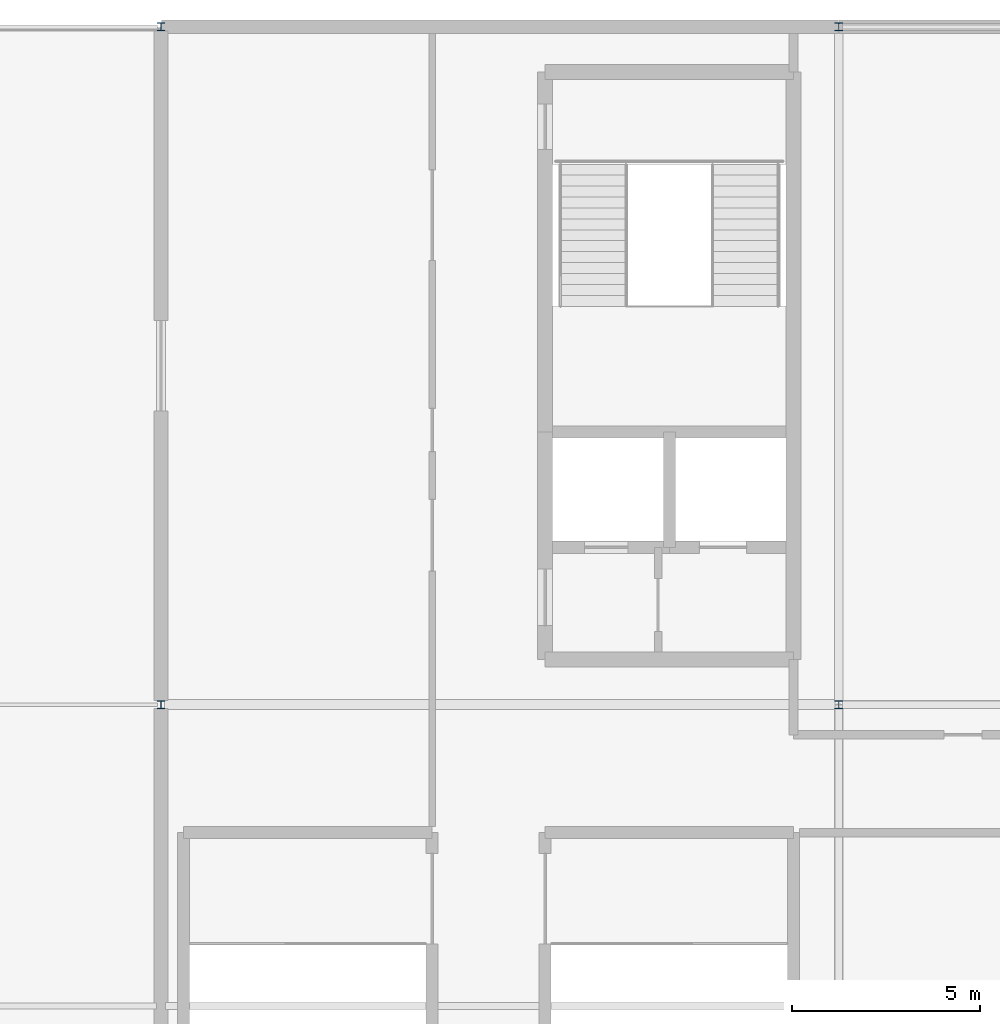
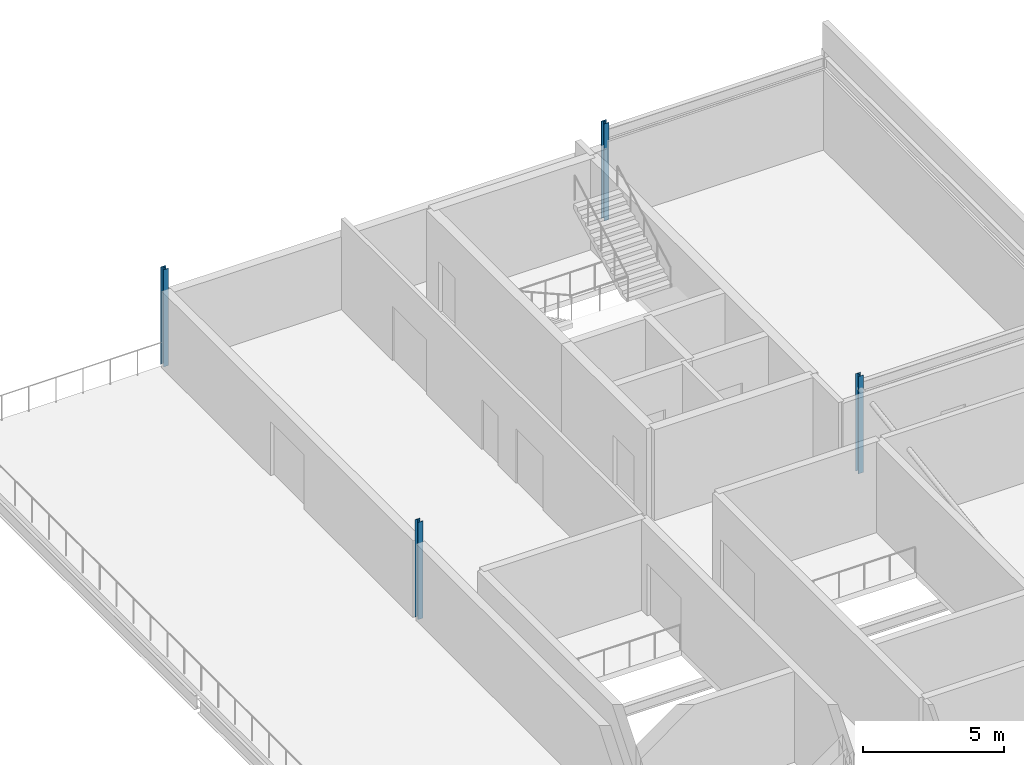
# One storey, part 10 of 23: 4 columns.
"""IFC4 building model written with IfcOpenShell, lengths in metres."""

import ifcopenshell
import ifcopenshell.guid

model = None  # the IFC model being written
_history = None  # IfcOwnerHistory: only IFC2X3 demands one
_inside = {}  # id of a spatial element -> (the spatial element, [elements in it])
_under = {}  # id of a project, library or spatial element -> (it, [spatial elements below it])
_declared = {}  # id of a project -> (the project, [libraries it declares])
_typed = {}  # id of a type object -> (the type object, [elements of that type])
_made_of = {}  # id of a material, layer set ... -> (it, [elements and type objects made of it])


def new_model(schema):
    """Start an empty IFC model of exactly this schema.

    Asked for "IFC4X3", IfcOpenShell would pick the latest addendum, in which some entities
    have other attributes; the version numbers below select the first issue.
    IFC2X3 requires an IfcOwnerHistory on every rooted entity: one is made here for all.
    """
    global model, _history
    if schema == "IFC4X3":
        model = ifcopenshell.file(schema_version=(4, 3, 0, 0))
    else:
        model = ifcopenshell.file(schema=schema)
    _inside.clear()
    _under.clear()
    _declared.clear()
    _typed.clear()
    _made_of.clear()
    _history = None
    if model.schema == "IFC2X3":
        org = make("IfcOrganization", Name="unknown")
        user = make(
            "IfcPersonAndOrganization",
            ThePerson=make("IfcPerson", FamilyName="unknown"),
            TheOrganization=org,
        )
        app = make(
            "IfcApplication",
            ApplicationDeveloper=org,
            Version="unknown",
            ApplicationFullName="unknown",
            ApplicationIdentifier="unknown",
        )
        _history = make(
            "IfcOwnerHistory",
            OwningUser=user,
            OwningApplication=app,
            ChangeAction="ADDED",
            CreationDate=0,
        )
    return model


def make(cls, **values):
    """One entity of the class cls with the attributes given. An attribute that is None is left unset."""
    return model.create_entity(
        cls, **{name: value for name, value in values.items() if value is not None}
    )


def rooted(cls, **values):
    """An entity with a GlobalId (a new one), such as an element, a storey or a relation."""
    return make(cls, GlobalId=ifcopenshell.guid.new(), OwnerHistory=_history, **values)


def si_unit(unit_type, name, prefix=None):
    """IfcSIUnit, for example si_unit("LENGTHUNIT", "METRE", prefix="MILLI")."""
    return make("IfcSIUnit", UnitType=unit_type, Prefix=prefix, Name=name)


def assignment(units):
    """IfcUnitAssignment: the units of a project."""
    return None if units is None else make("IfcUnitAssignment", Units=units)


def point(xyz):
    """IfcCartesianPoint."""
    return None if xyz is None else make("IfcCartesianPoint", Coordinates=xyz)


def direction(xyz):
    """IfcDirection."""
    return None if xyz is None else make("IfcDirection", DirectionRatios=xyz)


def frame(location, z_axis=None, x_axis=None):
    """IfcAxis2Placement3D, a coordinate frame: its origin and axes. An axis left out is left unset."""
    return make(
        "IfcAxis2Placement3D",
        Location=point(location),
        Axis=direction(z_axis),
        RefDirection=direction(x_axis),
    )


def frame_2d(location, x_axis=None):
    """IfcAxis2Placement2D, a coordinate frame in the plane: its origin and x axis."""
    return make(
        "IfcAxis2Placement2D", Location=point(location), RefDirection=direction(x_axis)
    )


def origin():
    """The frame at (0, 0, 0) with its axes left unset."""
    return frame((0.0, 0.0, 0.0))


def origin_2d():
    """The frame at (0, 0) in the plane with its x axis left unset."""
    return frame_2d((0.0, 0.0))


def place(relative_to, where):
    """IfcLocalPlacement: puts the frame where relative to a parent placement (None: the world)."""
    return make(
        "IfcLocalPlacement", PlacementRelTo=relative_to, RelativePlacement=where
    )


def context(
    kind, dimensions, precision=None, world=None, true_north=None, identifier=None
):
    """IfcGeometricRepresentationContext, for example the 3D "Model" context."""
    return make(
        "IfcGeometricRepresentationContext",
        ContextIdentifier=identifier,
        ContextType=kind,
        CoordinateSpaceDimension=dimensions,
        Precision=precision,
        WorldCoordinateSystem=world,
        TrueNorth=true_north,
    )


def subcontext(parent, identifier, kind, view, scale=None):
    """IfcGeometricRepresentationSubContext, for example "Body" below "Model"."""
    return make(
        "IfcGeometricRepresentationSubContext",
        ContextIdentifier=identifier,
        ContextType=kind,
        ParentContext=parent,
        TargetScale=scale,
        TargetView=view,
    )


def project(units=None, contexts=None):
    """IfcProject with its units and contexts."""
    return rooted(
        "IfcProject",
        Name="project",
        RepresentationContexts=contexts,
        UnitsInContext=assignment(units),
    )


def spatial(cls, under=None, at=None, **own):
    """A site, building, storey or space (cls), placed at a placement, below another one or the project."""
    s = rooted(cls, ObjectPlacement=at, **own)
    if under is not None:
        _under.setdefault(under.id(), (under, []))[1].append(s)
    return s


def profile(cls, at=None, kind="AREA", **sizes):
    """A parametric profile (cls). Its sizes go by their IFC names, for example OverallWidth=200.0."""
    return make(cls, ProfileType=kind, Position=at, **sizes)


def i_section(**sizes):
    """IfcIShapeProfileDef."""
    return profile("IfcIShapeProfileDef", **sizes)


def extrude(swept, where, along, depth):
    """IfcExtrudedAreaSolid: the profile swept, set in the frame where, extruded along a direction by depth."""
    return make(
        "IfcExtrudedAreaSolid",
        SweptArea=swept,
        Position=where,
        ExtrudedDirection=direction(along),
        Depth=depth,
    )


def shape(context_of_items, identifier, shape_type, items):
    """IfcShapeRepresentation: the items that make up one representation, for example the "Body"."""
    return make(
        "IfcShapeRepresentation",
        ContextOfItems=context_of_items,
        RepresentationIdentifier=identifier,
        RepresentationType=shape_type,
        Items=items,
    )


def material(Name=None, Category=None):
    """IfcMaterial."""
    return make("IfcMaterial", Name=Name, Category=Category)


def material_profile(
    of_material, cross_section, Name=None, Category=None, Priority=None
):
    """IfcMaterialProfile: a cross section and its material."""
    return make(
        "IfcMaterialProfile",
        Name=Name,
        Material=of_material,
        Profile=cross_section,
        Priority=Priority,
        Category=Category,
    )


def profile_set(profiles, Name=None, composite=None):
    """IfcMaterialProfileSet."""
    return make(
        "IfcMaterialProfileSet",
        Name=Name,
        MaterialProfiles=profiles,
        CompositeProfile=composite,
    )


def made_of(thing, what):
    """Note that an element or type object is made of a material, layer set ...; save() writes the relation."""
    if what is not None:
        _made_of.setdefault(what.id(), (what, []))[1].append(thing)
    return thing


def type_object(cls, material=None, **own):
    """A type object (cls), such as IfcWallType, which elements share."""
    return made_of(rooted(cls, **own), material)


def element(
    cls,
    number,
    at=None,
    inside=None,
    cuts=None,
    type_object=None,
    material=None,
    context=None,
    identifier="Body",
    shape_type=None,
    held_by="IfcProductDefinitionShape",
    body=None,
    shapes=None,
    **own,
):
    """One element of the class cls, such as IfcWall. Its Tag is "e" and its number.

    at: its placement. inside: the storey or other place that contains it. cuts: it is an
    opening in that element (IfcRelVoidsElement). A single representation is given by context,
    identifier, shape_type and body (its items); several are given by shapes. held_by: the class
    of the entity that holds the representations. save() writes the other relations.
    """
    e = rooted(cls, Tag="e%d" % number, ObjectPlacement=at, **own)
    if body is not None:
        shapes = [shape(context, identifier, shape_type, body)]
    if shapes is not None:
        e.Representation = make(held_by, Representations=shapes)
    if inside is not None:
        _inside.setdefault(inside.id(), (inside, []))[1].append(e)
    if cuts is not None:
        rooted(
            "IfcRelVoidsElement", RelatingBuildingElement=cuts, RelatedOpeningElement=e
        )
    if type_object is not None:
        _typed.setdefault(type_object.id(), (type_object, []))[1].append(e)
    return made_of(e, material)


def aggregate(whole, parts):
    """IfcRelAggregates: a whole, such as a stair, and the parts it consists of."""
    return rooted("IfcRelAggregates", RelatingObject=whole, RelatedObjects=parts)


def save(model, path):
    """Write the relations noted so far, then the file.

    IfcRelAggregates (storeys below a building ...), IfcRelContainedInSpatialStructure (elements
    in a storey), IfcRelDefinesByType, IfcRelAssociatesMaterial and IfcRelDeclares: one each for
    every whole, place, type object, material and project.
    """
    for whole, parts in _under.values():
        aggregate(whole, parts)
    for where, things in _inside.values():
        rooted(
            "IfcRelContainedInSpatialStructure",
            RelatedElements=things,
            RelatingStructure=where,
        )
    for kind, things in _typed.values():
        rooted("IfcRelDefinesByType", RelatedObjects=things, RelatingType=kind)
    for what, things in _made_of.values():
        rooted("IfcRelAssociatesMaterial", RelatedObjects=things, RelatingMaterial=what)
    for by, libraries in _declared.values():
        rooted("IfcRelDeclares", RelatingContext=by, RelatedDefinitions=libraries)
    model.write(path)


model = new_model("IFC4")

# Units and contexts
model_context = context("Model", 3, precision=1e-05, world=origin(), true_north=direction((0.0, 1.0)))
body_context = subcontext(model_context, "Body", "Model", "MODEL_VIEW")
ifc_project = project(units=[si_unit("LENGTHUNIT", "METRE"), si_unit("AREAUNIT", "SQUARE_METRE"), si_unit("VOLUMEUNIT", "CUBIC_METRE"), si_unit("PLANEANGLEUNIT", "RADIAN"), si_unit("MASSUNIT", "GRAM", prefix="KILO")], contexts=[model_context])

# Site, building, storey
site_placement = place(None, origin())
site = spatial("IfcSite", under=ifc_project, at=site_placement, CompositionType="ELEMENT")
building_placement = place(site_placement, origin())
building = spatial("IfcBuilding", under=site, at=building_placement, Name="Kisiwana Market Hall", CompositionType="ELEMENT")
storey_placement = place(building_placement, frame((0.0, 0.0, 65.699951171875)))
storey = spatial("IfcBuildingStorey", under=building, at=storey_placement, Name="L15", CompositionType="ELEMENT", Elevation=65.699951171875)

# Columns
ifc_material = material(Name="Steel S355", Category="steel")
ifc_material_profile = material_profile(ifc_material, i_section(OverallWidth=0.205810546875, OverallDepth=0.209716796875, WebThickness=0.009521484375, FlangeThickness=0.01416015625, FilletRadius=0.01025390625, at=origin_2d()), Name="UC 203x203x60")
ifc_profile_set = profile_set([ifc_material_profile], Name="Steel S355")
column_type = type_object("IfcColumnType", Name="COL-STL-UC060", PredefinedType="COLUMN", material=ifc_profile_set)
for number, where, z_axis, x_axis, name in (
    (1, (171.0, 84.0, 0.0), (0.0, 0.0, 1.0), (1.0, 0.0, 0.0), "Column L/20 (L15) C-1497"),
    (2, (171.0, 102.0, 0.0), (0.0, 0.0, 1.0), (1.0, 0.0, 0.0), "Column N/20 (L15) C-1498"),
    (3, (189.0, 84.0, 0.0), (0.0, 0.0, 1.0), (1.0, 0.0, 0.0), "Column L/22 (L15) C-1501"),
    (4, (189.0, 102.0, 0.0), (0.0, 0.0, 1.0), (1.0, 0.0, 0.0), "Column N/22 (L15) C-1502"),
):
    element("IfcColumn", number, at=place(storey_placement, frame(where, z_axis=z_axis, x_axis=x_axis)), inside=storey, type_object=column_type, Name=name, PredefinedType="COLUMN", context=body_context, shape_type="SweptSolid", body=[
        extrude(i_section(OverallWidth=0.205810546875, OverallDepth=0.209716796875, WebThickness=0.009521484375, FlangeThickness=0.01416015625, FilletRadius=0.01025390625, at=origin_2d()), origin(), (0.0, 0.0, 1.0), 4.199951171875),
    ])

save(model, "model.ifc")
